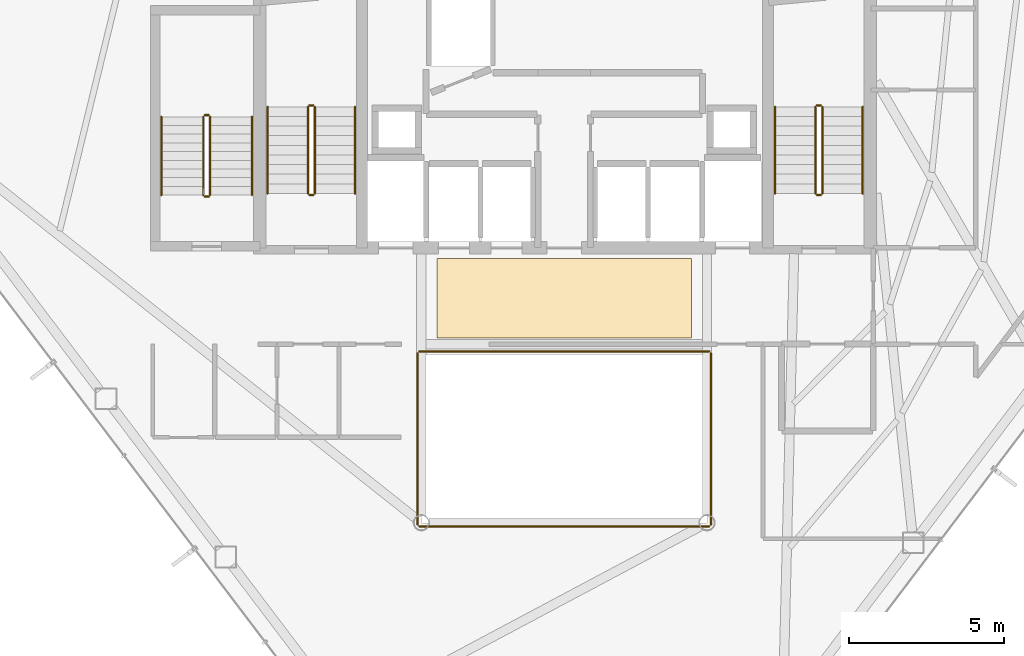
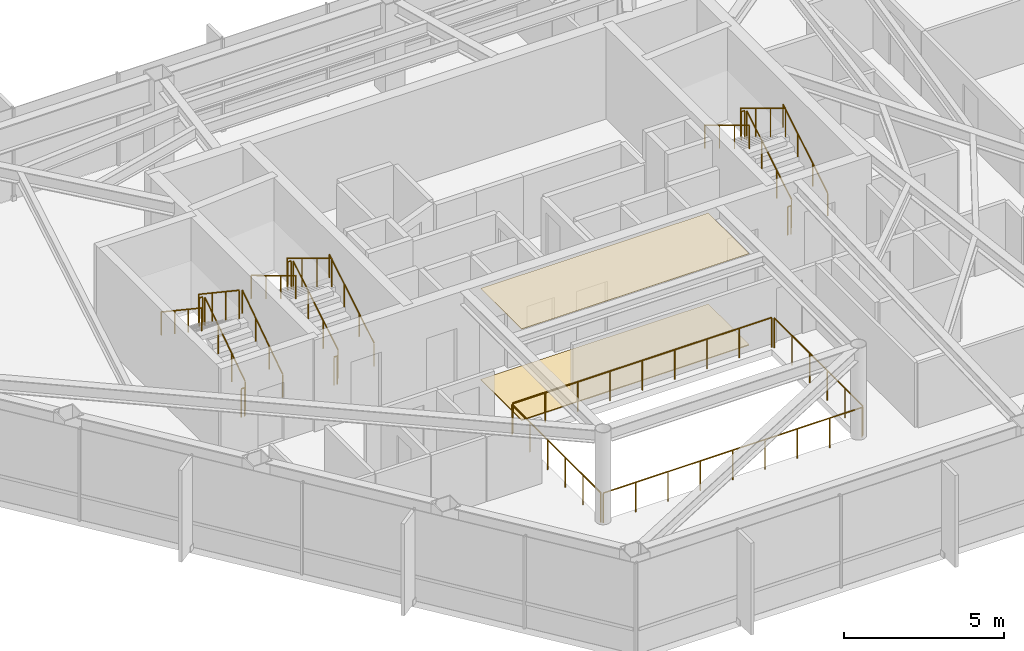
# One storey, part 27 of 27: 22 railings, 2 coverings.
"""IFC4 building model written with IfcOpenShell, lengths in metres."""

from ifc_helpers import new_model, si_unit, direction, frame, origin, origin_2d, place, context, subcontext, project, spatial, polyline, circle, outline, extrude, material, layer, layer_set, type_object, element, save


model = new_model("IFC4")

# Units and contexts
model_context = context("Model", 3, precision=1e-05, world=origin(), true_north=direction((0.0, 1.0)))
body_context = subcontext(model_context, "Body", "Model", "MODEL_VIEW")
ifc_project = project(units=[si_unit("LENGTHUNIT", "METRE"), si_unit("AREAUNIT", "SQUARE_METRE"), si_unit("VOLUMEUNIT", "CUBIC_METRE"), si_unit("PLANEANGLEUNIT", "RADIAN"), si_unit("MASSUNIT", "GRAM", prefix="KILO")], contexts=[model_context])

# Site, building, storey
site_placement = place(None, origin())
site = spatial("IfcSite", under=ifc_project, at=site_placement, CompositionType="ELEMENT")
building_placement = place(site_placement, origin())
building = spatial("IfcBuilding", under=site, at=building_placement, Name="Zarrinselat Tower", CompositionType="ELEMENT")
storey_placement = place(building_placement, frame((0.0, 0.0, 179.52001953125)))
storey = spatial("IfcBuildingStorey", under=building, at=storey_placement, Name="L44", CompositionType="ELEMENT", Elevation=179.52001953125)

# Coverings
ifc_material_1 = material(Name="Fire-Rated Gypsum Board Partition")
ifc_layer_1 = layer(ifc_material_1, 0.014892578125)
ifc_layer_set_1 = layer_set([ifc_layer_1], Name="Fire-Rated Gypsum Board Partition")
covering_type_1 = type_object("IfcCoveringType", Name="COV-CLG-AC15", PredefinedType="CEILING", material=ifc_layer_set_1)
covering_1_placement = place(storey_placement, frame((0.0, 0.0, 3.48486328125)))
element("IfcCovering", 1, at=covering_1_placement, inside=storey, type_object=covering_type_1, Name="L44 Lift Lobby Acoustic Ceiling", PredefinedType="CEILING", context=body_context, shape_type="SweptSolid", body=[
    extrude(outline(polyline([(34.300048828125, 30.35009765625), (42.5, 30.35009765625), (42.5, 32.89990234375), (34.300048828125, 32.89990234375), (34.300048828125, 30.35009765625)])), origin(), (0.0, 0.0, 1.0), 0.01513671875),
])
ifc_material_2 = material(Name="Precast concrete C40/50", Category="concrete")
ifc_layer_2 = layer(ifc_material_2, 0.034912109375)
ifc_layer_set_2 = layer_set([ifc_layer_2], Name="Precast concrete C40/50")
covering_type_2 = type_object("IfcCoveringType", Name="COV-FLR-CP35", PredefinedType="FLOORING", material=ifc_layer_set_2)
covering_2_placement = place(storey_placement, origin())
element("IfcCovering", 2, at=covering_2_placement, inside=storey, type_object=covering_type_2, Name="L44 Lift Lobby Stone Flooring", PredefinedType="FLOORING", context=body_context, shape_type="SweptSolid", body=[
    extrude(outline(polyline([(34.300048828125, 30.35009765625), (42.5, 30.35009765625), (42.5, 32.89990234375), (34.300048828125, 32.89990234375), (34.300048828125, 30.35009765625)])), origin(), (0.0, 0.0, 1.0), 0.034912109375),
])

# Railings
ifc_material_3 = material(Name="Double Low-E Laminated Solar Glass", Category="glass")
railing_type_1 = type_object("IfcRailingType", Name="RLG-ATRIUM-BAL", PredefinedType="BALUSTRADE", material=ifc_material_3)
railing_1_placement = place(storey_placement, frame((33.739990234375, 24.280029296875, 0.0)))
element("IfcRailing", 3, at=railing_1_placement, inside=storey, type_object=railing_type_1, Name="L44 Atrium Void Glass Balustrade S", PredefinedType="BALUSTRADE", context=body_context, shape_type="SweptSolid", body=[
    extrude(circle(Radius=0.02392578125, at=origin_2d()), frame((0.0, 0.0, 1.1259765625), z_axis=(1.0, 0.0, 0.0), x_axis=(0.0, 1.0, 0.0)), (0.0, 0.0, 1.0), 9.320068359375),
    extrude(circle(Radius=0.02099609375, at=origin_2d()), origin(), (0.0, 0.0, 1.0), 1.099853515625),
    extrude(circle(Radius=0.02099609375, at=origin_2d()), frame((1.1650390625, 0.0, 0.0)), (0.0, 0.0, 1.0), 1.099853515625),
    extrude(circle(Radius=0.02099609375, at=origin_2d()), frame((2.330078125, 0.0, 0.0)), (0.0, 0.0, 1.0), 1.099853515625),
    extrude(circle(Radius=0.02099609375, at=origin_2d()), frame((3.4951171875, 0.0, 0.0)), (0.0, 0.0, 1.0), 1.099853515625),
    extrude(circle(Radius=0.02099609375, at=origin_2d()), frame((4.66015625, 0.0, 0.0)), (0.0, 0.0, 1.0), 1.099853515625),
    extrude(circle(Radius=0.02099609375, at=origin_2d()), frame((5.824951171875, 0.0, 0.0)), (0.0, 0.0, 1.0), 1.099853515625),
    extrude(circle(Radius=0.02099609375, at=origin_2d()), frame((6.989990234375, 0.0, 0.0)), (0.0, 0.0, 1.0), 1.099853515625),
    extrude(circle(Radius=0.02099609375, at=origin_2d()), frame((8.155029296875, 0.0, 0.0)), (0.0, 0.0, 1.0), 1.099853515625),
    extrude(circle(Radius=0.02099609375, at=origin_2d()), frame((9.320068359375, 0.0, 0.0)), (0.0, 0.0, 1.0), 1.099853515625),
])
railing_2_placement = place(storey_placement, frame((43.1201171875, 24.340087890625, 0.0)))
element("IfcRailing", 4, at=railing_2_placement, inside=storey, type_object=railing_type_1, Name="L44 Atrium Void Glass Balustrade E", PredefinedType="BALUSTRADE", context=body_context, shape_type="SweptSolid", body=[
    extrude(circle(Radius=0.02392578125, at=origin_2d()), frame((0.0, 0.0, 1.1259765625), z_axis=(0.0, 1.0, 0.0), x_axis=(-1.0, 0.0, 0.0)), (0.0, 0.0, 1.0), 5.52001953125),
    extrude(circle(Radius=0.02099609375, at=origin_2d()), origin(), (0.0, 0.0, 1.0), 1.099853515625),
    extrude(circle(Radius=0.02099609375, at=origin_2d()), frame((0.0, 1.10400390625, 0.0)), (0.0, 0.0, 1.0), 1.099853515625),
    extrude(circle(Radius=0.02099609375, at=origin_2d()), frame((0.0, 2.2080078125, 0.0)), (0.0, 0.0, 1.0), 1.099853515625),
    extrude(circle(Radius=0.02099609375, at=origin_2d()), frame((0.0, 3.31201171875, 0.0)), (0.0, 0.0, 1.0), 1.099853515625),
    extrude(circle(Radius=0.02099609375, at=origin_2d()), frame((0.0, 4.416015625, 0.0)), (0.0, 0.0, 1.0), 1.099853515625),
    extrude(circle(Radius=0.02099609375, at=origin_2d()), frame((0.0, 5.52001953125, 0.0)), (0.0, 0.0, 1.0), 1.099853515625),
])
railing_3_placement = place(storey_placement, frame((43.06005859375, 29.919921875, 0.0)))
element("IfcRailing", 5, at=railing_3_placement, inside=storey, type_object=railing_type_1, Name="L44 Atrium Void Glass Balustrade N", PredefinedType="BALUSTRADE", context=body_context, shape_type="SweptSolid", body=[
    extrude(circle(Radius=0.02392578125, at=origin_2d()), frame((0.0, 0.0, 1.1259765625), z_axis=(-1.0, 0.0, 0.0), x_axis=(0.0, -1.0, 0.0)), (0.0, 0.0, 1.0), 9.320068359375),
    extrude(circle(Radius=0.02099609375, at=origin_2d()), origin(), (0.0, 0.0, 1.0), 1.099853515625),
    extrude(circle(Radius=0.02099609375, at=origin_2d()), frame((-1.1650390625, 0.0, 0.0)), (0.0, 0.0, 1.0), 1.099853515625),
    extrude(circle(Radius=0.02099609375, at=origin_2d()), frame((-2.330078125, 0.0, 0.0)), (0.0, 0.0, 1.0), 1.099853515625),
    extrude(circle(Radius=0.02099609375, at=origin_2d()), frame((-3.4951171875, 0.0, 0.0)), (0.0, 0.0, 1.0), 1.099853515625),
    extrude(circle(Radius=0.02099609375, at=origin_2d()), frame((-4.66015625, 0.0, 0.0)), (0.0, 0.0, 1.0), 1.099853515625),
    extrude(circle(Radius=0.02099609375, at=origin_2d()), frame((-5.824951171875, 0.0, 0.0)), (0.0, 0.0, 1.0), 1.099853515625),
    extrude(circle(Radius=0.02099609375, at=origin_2d()), frame((-6.989990234375, 0.0, 0.0)), (0.0, 0.0, 1.0), 1.099853515625),
    extrude(circle(Radius=0.02099609375, at=origin_2d()), frame((-8.155029296875, 0.0, 0.0)), (0.0, 0.0, 1.0), 1.099853515625),
    extrude(circle(Radius=0.02099609375, at=origin_2d()), frame((-9.320068359375, 0.0, 0.0)), (0.0, 0.0, 1.0), 1.099853515625),
])
railing_4_placement = place(storey_placement, frame((33.679931640625, 29.860107421875, 0.0)))
element("IfcRailing", 6, at=railing_4_placement, inside=storey, type_object=railing_type_1, Name="L44 Atrium Void Glass Balustrade W", PredefinedType="BALUSTRADE", context=body_context, shape_type="SweptSolid", body=[
    extrude(circle(Radius=0.02392578125, at=origin_2d()), frame((0.0, 0.0, 1.1259765625), z_axis=(0.0, -1.0, 0.0), x_axis=(1.0, 0.0, 0.0)), (0.0, 0.0, 1.0), 5.52001953125),
    extrude(circle(Radius=0.02099609375, at=origin_2d()), origin(), (0.0, 0.0, 1.0), 1.099853515625),
    extrude(circle(Radius=0.02099609375, at=origin_2d()), frame((0.0, -1.10400390625, 0.0)), (0.0, 0.0, 1.0), 1.099853515625),
    extrude(circle(Radius=0.02099609375, at=origin_2d()), frame((0.0, -2.2080078125, 0.0)), (0.0, 0.0, 1.0), 1.099853515625),
    extrude(circle(Radius=0.02099609375, at=origin_2d()), frame((0.0, -3.31201171875, 0.0)), (0.0, 0.0, 1.0), 1.099853515625),
    extrude(circle(Radius=0.02099609375, at=origin_2d()), frame((0.0, -4.416015625, 0.0)), (0.0, 0.0, 1.0), 1.099853515625),
    extrude(circle(Radius=0.02099609375, at=origin_2d()), frame((0.0, -5.52001953125, 0.0)), (0.0, 0.0, 1.0), 1.099853515625),
])
ifc_material_4 = material(Name="Steel S355J2", Category="steel")
railing_type_2 = type_object("IfcRailingType", Name="RLG-STAIR-GUARD", PredefinedType="GUARDRAIL", material=ifc_material_4)
railing_5_placement = place(storey_placement, frame((30.3701171875, 35.0, 0.18701171875)))
element("IfcRailing", 7, at=railing_5_placement, inside=storey, type_object=railing_type_2, Name="L44 ST-1 stair guard 1", PredefinedType="GUARDRAIL", context=body_context, shape_type="SweptSolid", body=[
    extrude(circle(Radius=0.02392578125, at=origin_2d()), frame((0.0, 0.0, 1.076171875), z_axis=(0.0, 0.856293938615, 0.516488809842), x_axis=(-1.0, 0.0, 0.0)), (0.0, 0.0, 1.0), 3.25830078125),
    extrude(circle(Radius=0.02099609375, at=origin_2d()), origin(), (0.0, 0.0, 1.0), 1.050048828125),
    extrude(circle(Radius=0.02099609375, at=origin_2d()), frame((0.0, 0.929931640625, 0.56103515625)), (0.0, 0.0, 1.0), 1.050048828125),
    extrude(circle(Radius=0.02099609375, at=origin_2d()), frame((0.0, 1.860107421875, 1.121826171875)), (0.0, 0.0, 1.0), 1.050048828125),
    extrude(circle(Radius=0.02099609375, at=origin_2d()), frame((0.0, 2.7900390625, 1.682861328125)), (0.0, 0.0, 1.0), 1.050048828125),
])
railing_6_placement = place(storey_placement, frame((30.320068359375, 37.840087890625, 1.869873046875)))
element("IfcRailing", 8, at=railing_6_placement, inside=storey, type_object=railing_type_2, Name="L44 ST-1 stair guard 2", PredefinedType="GUARDRAIL", context=body_context, shape_type="SweptSolid", body=[
    extrude(circle(Radius=0.02392578125, at=origin_2d()), frame((0.0, 0.0, 1.076171875), z_axis=(-1.0, 0.0, 0.0), x_axis=(0.0, -1.0, 0.0)), (0.0, 0.0, 1.0), 0.1201171875),
    extrude(circle(Radius=0.02099609375, at=origin_2d()), origin(), (0.0, 0.0, 1.0), 1.050048828125),
    extrude(circle(Radius=0.02099609375, at=origin_2d()), frame((-0.1201171875, 0.0, 0.0)), (0.0, 0.0, 1.0), 1.050048828125),
])
railing_7_placement = place(storey_placement, frame((30.14990234375, 37.7900390625, 2.056884765625)))
element("IfcRailing", 9, at=railing_7_placement, inside=storey, type_object=railing_type_2, Name="L44 ST-1 stair guard 3", PredefinedType="GUARDRAIL", context=body_context, shape_type="SweptSolid", body=[
    extrude(circle(Radius=0.02392578125, at=origin_2d()), frame((0.0, 0.0, 1.076171875), z_axis=(0.0, -0.856260799362, 0.516543747882), x_axis=(1.0, 0.0, 0.0)), (0.0, 0.0, 1.0), 3.25830078125),
    extrude(circle(Radius=0.02099609375, at=origin_2d()), origin(), (0.0, 0.0, 1.0), 1.050048828125),
    extrude(circle(Radius=0.02099609375, at=origin_2d()), frame((0.0, -0.929931640625, 0.56103515625)), (0.0, 0.0, 1.0), 1.050048828125),
    extrude(circle(Radius=0.02099609375, at=origin_2d()), frame((0.0, -1.860107421875, 1.1220703125)), (0.0, 0.0, 1.0), 1.050048828125),
    extrude(circle(Radius=0.02099609375, at=origin_2d()), frame((0.0, -2.7900390625, 1.68310546875)), (0.0, 0.0, 1.0), 1.050048828125),
])
railing_8_placement = place(storey_placement, frame((30.320068359375, 34.949951171875, 0.0)))
element("IfcRailing", 10, at=railing_8_placement, inside=storey, type_object=railing_type_2, Name="L44 ST-1 stair guard 4", PredefinedType="GUARDRAIL", context=body_context, shape_type="SweptSolid", body=[
    extrude(circle(Radius=0.02392578125, at=origin_2d()), frame((0.0, 0.0, 1.076171875), z_axis=(-1.0, 0.0, 0.0), x_axis=(0.0, -1.0, 0.0)), (0.0, 0.0, 1.0), 0.1201171875),
    extrude(circle(Radius=0.02099609375, at=origin_2d()), origin(), (0.0, 0.0, 1.0), 1.050048828125),
    extrude(circle(Radius=0.02099609375, at=origin_2d()), frame((-0.1201171875, 0.0, 0.0)), (0.0, 0.0, 1.0), 1.050048828125),
])
railing_9_placement = place(storey_placement, frame((46.7099609375, 35.0, 0.18701171875)))
element("IfcRailing", 11, at=railing_9_placement, inside=storey, type_object=railing_type_2, Name="L44 ST-2 stair guard 1", PredefinedType="GUARDRAIL", context=body_context, shape_type="SweptSolid", body=[
    extrude(circle(Radius=0.02392578125, at=origin_2d()), frame((0.0, 0.0, 1.076171875), z_axis=(0.0, 0.856293938615, 0.516488809842), x_axis=(-1.0, 0.0, 0.0)), (0.0, 0.0, 1.0), 3.25830078125),
    extrude(circle(Radius=0.02099609375, at=origin_2d()), origin(), (0.0, 0.0, 1.0), 1.050048828125),
    extrude(circle(Radius=0.02099609375, at=origin_2d()), frame((0.0, 0.929931640625, 0.56103515625)), (0.0, 0.0, 1.0), 1.050048828125),
    extrude(circle(Radius=0.02099609375, at=origin_2d()), frame((0.0, 1.860107421875, 1.121826171875)), (0.0, 0.0, 1.0), 1.050048828125),
    extrude(circle(Radius=0.02099609375, at=origin_2d()), frame((0.0, 2.7900390625, 1.682861328125)), (0.0, 0.0, 1.0), 1.050048828125),
])
railing_10_placement = place(storey_placement, frame((46.659912109375, 37.840087890625, 1.869873046875)))
element("IfcRailing", 12, at=railing_10_placement, inside=storey, type_object=railing_type_2, Name="L44 ST-2 stair guard 2", PredefinedType="GUARDRAIL", context=body_context, shape_type="SweptSolid", body=[
    extrude(circle(Radius=0.02392578125, at=origin_2d()), frame((0.0, 0.0, 1.076171875), z_axis=(-1.0, 0.0, 0.0), x_axis=(0.0, -1.0, 0.0)), (0.0, 0.0, 1.0), 0.119873046875),
    extrude(circle(Radius=0.02099609375, at=origin_2d()), origin(), (0.0, 0.0, 1.0), 1.050048828125),
    extrude(circle(Radius=0.02099609375, at=origin_2d()), frame((-0.119873046875, 0.0, 0.0)), (0.0, 0.0, 1.0), 1.050048828125),
])
railing_11_placement = place(storey_placement, frame((46.489990234375, 37.7900390625, 2.056884765625)))
element("IfcRailing", 13, at=railing_11_placement, inside=storey, type_object=railing_type_2, Name="L44 ST-2 stair guard 3", PredefinedType="GUARDRAIL", context=body_context, shape_type="SweptSolid", body=[
    extrude(circle(Radius=0.02392578125, at=origin_2d()), frame((0.0, 0.0, 1.076171875), z_axis=(0.0, -0.856260799362, 0.516543747882), x_axis=(1.0, 0.0, 0.0)), (0.0, 0.0, 1.0), 3.25830078125),
    extrude(circle(Radius=0.02099609375, at=origin_2d()), origin(), (0.0, 0.0, 1.0), 1.050048828125),
    extrude(circle(Radius=0.02099609375, at=origin_2d()), frame((0.0, -0.929931640625, 0.56103515625)), (0.0, 0.0, 1.0), 1.050048828125),
    extrude(circle(Radius=0.02099609375, at=origin_2d()), frame((0.0, -1.860107421875, 1.1220703125)), (0.0, 0.0, 1.0), 1.050048828125),
    extrude(circle(Radius=0.02099609375, at=origin_2d()), frame((0.0, -2.7900390625, 1.68310546875)), (0.0, 0.0, 1.0), 1.050048828125),
])
railing_12_placement = place(storey_placement, frame((46.659912109375, 34.949951171875, 0.0)))
element("IfcRailing", 14, at=railing_12_placement, inside=storey, type_object=railing_type_2, Name="L44 ST-2 stair guard 4", PredefinedType="GUARDRAIL", context=body_context, shape_type="SweptSolid", body=[
    extrude(circle(Radius=0.02392578125, at=origin_2d()), frame((0.0, 0.0, 1.076171875), z_axis=(-1.0, 0.0, 0.0), x_axis=(0.0, -1.0, 0.0)), (0.0, 0.0, 1.0), 0.119873046875),
    extrude(circle(Radius=0.02099609375, at=origin_2d()), origin(), (0.0, 0.0, 1.0), 1.050048828125),
    extrude(circle(Radius=0.02099609375, at=origin_2d()), frame((-0.119873046875, 0.0, 0.0)), (0.0, 0.0, 1.0), 1.050048828125),
])
railing_13_placement = place(storey_placement, frame((27.0, 34.949951171875, 0.18701171875)))
element("IfcRailing", 15, at=railing_13_placement, inside=storey, type_object=railing_type_2, Name="L44 ST-3 stair guard 1", PredefinedType="GUARDRAIL", context=body_context, shape_type="SweptSolid", body=[
    extrude(circle(Radius=0.02392578125, at=origin_2d()), frame((0.0, 0.0, 1.076171875), z_axis=(0.0, 0.831616215664, 0.555350762892), x_axis=(-1.0, 0.0, 0.0)), (0.0, 0.0, 1.0), 3.0302734375),
    extrude(circle(Radius=0.02099609375, at=origin_2d()), origin(), (0.0, 0.0, 1.0), 1.050048828125),
    extrude(circle(Radius=0.02099609375, at=origin_2d()), frame((0.0, 0.840087890625, 0.56103515625)), (0.0, 0.0, 1.0), 1.050048828125),
    extrude(circle(Radius=0.02099609375, at=origin_2d()), frame((0.0, 1.679931640625, 1.121826171875)), (0.0, 0.0, 1.0), 1.050048828125),
    extrude(circle(Radius=0.02099609375, at=origin_2d()), frame((0.0, 2.52001953125, 1.682861328125)), (0.0, 0.0, 1.0), 1.050048828125),
])
railing_14_placement = place(storey_placement, frame((26.949951171875, 37.52001953125, 1.869873046875)))
element("IfcRailing", 16, at=railing_14_placement, inside=storey, type_object=railing_type_2, Name="L44 ST-3 stair guard 2", PredefinedType="GUARDRAIL", context=body_context, shape_type="SweptSolid", body=[
    extrude(circle(Radius=0.02392578125, at=origin_2d()), frame((0.0, 0.0, 1.076171875), z_axis=(-1.0, 0.0, 0.0), x_axis=(0.0, -1.0, 0.0)), (0.0, 0.0, 1.0), 0.119873046875),
    extrude(circle(Radius=0.02099609375, at=origin_2d()), origin(), (0.0, 0.0, 1.0), 1.050048828125),
    extrude(circle(Radius=0.02099609375, at=origin_2d()), frame((-0.119873046875, 0.0, 0.0)), (0.0, 0.0, 1.0), 1.050048828125),
])
railing_15_placement = place(storey_placement, frame((26.780029296875, 37.469970703125, 2.056884765625)))
element("IfcRailing", 17, at=railing_15_placement, inside=storey, type_object=railing_type_2, Name="L44 ST-3 stair guard 3", PredefinedType="GUARDRAIL", context=body_context, shape_type="SweptSolid", body=[
    extrude(circle(Radius=0.02392578125, at=origin_2d()), frame((0.0, 0.0, 1.076171875), z_axis=(0.0, -0.831579006341, 0.555406478368), x_axis=(1.0, 0.0, 0.0)), (0.0, 0.0, 1.0), 3.030517578125),
    extrude(circle(Radius=0.02099609375, at=origin_2d()), origin(), (0.0, 0.0, 1.0), 1.050048828125),
    extrude(circle(Radius=0.02099609375, at=origin_2d()), frame((0.0, -0.840087890625, 0.56103515625)), (0.0, 0.0, 1.0), 1.050048828125),
    extrude(circle(Radius=0.02099609375, at=origin_2d()), frame((0.0, -1.679931640625, 1.1220703125)), (0.0, 0.0, 1.0), 1.050048828125),
    extrude(circle(Radius=0.02099609375, at=origin_2d()), frame((0.0, -2.52001953125, 1.68310546875)), (0.0, 0.0, 1.0), 1.050048828125),
])
railing_16_placement = place(storey_placement, frame((26.949951171875, 34.89990234375, 0.0)))
element("IfcRailing", 18, at=railing_16_placement, inside=storey, type_object=railing_type_2, Name="L44 ST-3 stair guard 4", PredefinedType="GUARDRAIL", context=body_context, shape_type="SweptSolid", body=[
    extrude(circle(Radius=0.02392578125, at=origin_2d()), frame((0.0, 0.0, 1.076171875), z_axis=(-1.0, 0.0, 0.0), x_axis=(0.0, -1.0, 0.0)), (0.0, 0.0, 1.0), 0.119873046875),
    extrude(circle(Radius=0.02099609375, at=origin_2d()), origin(), (0.0, 0.0, 1.0), 1.050048828125),
    extrude(circle(Radius=0.02099609375, at=origin_2d()), frame((-0.119873046875, 0.0, 0.0)), (0.0, 0.0, 1.0), 1.050048828125),
])
ifc_material_5 = material(Name="Steel S355J2", Category="steel")
railing_type_3 = type_object("IfcRailingType", Name="RLG-STAIR-HAND", PredefinedType="HANDRAIL", material=ifc_material_5)
railing_17_placement = place(storey_placement, frame((31.669921875, 35.0, 0.18701171875)))
element("IfcRailing", 19, at=railing_17_placement, inside=storey, type_object=railing_type_3, Name="L44 ST-1 stair handrail 1", PredefinedType="HANDRAIL", context=body_context, shape_type="SweptSolid", body=[
    extrude(circle(Radius=0.02392578125, at=origin_2d()), frame((0.0, 0.0, 0.8759765625), z_axis=(0.0, 0.856293938615, 0.516488809842), x_axis=(-1.0, 0.0, 0.0)), (0.0, 0.0, 1.0), 3.25830078125),
    extrude(circle(Radius=0.02099609375, at=origin_2d()), origin(), (0.0, 0.0, 1.0), 0.849853515625),
    extrude(circle(Radius=0.02099609375, at=origin_2d()), frame((0.0, 0.929931640625, 0.56103515625)), (0.0, 0.0, 1.0), 0.849853515625),
    extrude(circle(Radius=0.02099609375, at=origin_2d()), frame((0.0, 1.860107421875, 1.121826171875)), (0.0, 0.0, 1.0), 0.849853515625),
    extrude(circle(Radius=0.02099609375, at=origin_2d()), frame((0.0, 2.7900390625, 1.682861328125)), (0.0, 0.0, 1.0), 0.849853515625),
])
railing_18_placement = place(storey_placement, frame((28.85009765625, 37.7900390625, 2.056884765625)))
element("IfcRailing", 20, at=railing_18_placement, inside=storey, type_object=railing_type_3, Name="L44 ST-1 stair handrail 2", PredefinedType="HANDRAIL", context=body_context, shape_type="SweptSolid", body=[
    extrude(circle(Radius=0.02392578125, at=origin_2d()), frame((0.0, 0.0, 0.8759765625), z_axis=(0.0, -0.856260799362, 0.516543747882), x_axis=(1.0, 0.0, 0.0)), (0.0, 0.0, 1.0), 3.25830078125),
    extrude(circle(Radius=0.02099609375, at=origin_2d()), origin(), (0.0, 0.0, 1.0), 0.849853515625),
    extrude(circle(Radius=0.02099609375, at=origin_2d()), frame((0.0, -0.929931640625, 0.56103515625)), (0.0, 0.0, 1.0), 0.849853515625),
    extrude(circle(Radius=0.02099609375, at=origin_2d()), frame((0.0, -1.860107421875, 1.1220703125)), (0.0, 0.0, 1.0), 0.849853515625),
    extrude(circle(Radius=0.02099609375, at=origin_2d()), frame((0.0, -2.7900390625, 1.68310546875)), (0.0, 0.0, 1.0), 0.849853515625),
])
railing_19_placement = place(storey_placement, frame((48.010009765625, 35.0, 0.18701171875)))
element("IfcRailing", 21, at=railing_19_placement, inside=storey, type_object=railing_type_3, Name="L44 ST-2 stair handrail 1", PredefinedType="HANDRAIL", context=body_context, shape_type="SweptSolid", body=[
    extrude(circle(Radius=0.02392578125, at=origin_2d()), frame((0.0, 0.0, 0.8759765625), z_axis=(0.0, 0.856293938615, 0.516488809842), x_axis=(-1.0, 0.0, 0.0)), (0.0, 0.0, 1.0), 3.25830078125),
    extrude(circle(Radius=0.02099609375, at=origin_2d()), origin(), (0.0, 0.0, 1.0), 0.849853515625),
    extrude(circle(Radius=0.02099609375, at=origin_2d()), frame((0.0, 0.929931640625, 0.56103515625)), (0.0, 0.0, 1.0), 0.849853515625),
    extrude(circle(Radius=0.02099609375, at=origin_2d()), frame((0.0, 1.860107421875, 1.121826171875)), (0.0, 0.0, 1.0), 0.849853515625),
    extrude(circle(Radius=0.02099609375, at=origin_2d()), frame((0.0, 2.7900390625, 1.682861328125)), (0.0, 0.0, 1.0), 0.849853515625),
])
railing_20_placement = place(storey_placement, frame((45.18994140625, 37.7900390625, 2.056884765625)))
element("IfcRailing", 22, at=railing_20_placement, inside=storey, type_object=railing_type_3, Name="L44 ST-2 stair handrail 2", PredefinedType="HANDRAIL", context=body_context, shape_type="SweptSolid", body=[
    extrude(circle(Radius=0.02392578125, at=origin_2d()), frame((0.0, 0.0, 0.8759765625), z_axis=(0.0, -0.856260799362, 0.516543747882), x_axis=(1.0, 0.0, 0.0)), (0.0, 0.0, 1.0), 3.25830078125),
    extrude(circle(Radius=0.02099609375, at=origin_2d()), origin(), (0.0, 0.0, 1.0), 0.849853515625),
    extrude(circle(Radius=0.02099609375, at=origin_2d()), frame((0.0, -0.929931640625, 0.56103515625)), (0.0, 0.0, 1.0), 0.849853515625),
    extrude(circle(Radius=0.02099609375, at=origin_2d()), frame((0.0, -1.860107421875, 1.1220703125)), (0.0, 0.0, 1.0), 0.849853515625),
    extrude(circle(Radius=0.02099609375, at=origin_2d()), frame((0.0, -2.7900390625, 1.68310546875)), (0.0, 0.0, 1.0), 0.849853515625),
])
railing_21_placement = place(storey_placement, frame((28.35009765625, 34.949951171875, 0.18701171875)))
element("IfcRailing", 23, at=railing_21_placement, inside=storey, type_object=railing_type_3, Name="L44 ST-3 stair handrail 1", PredefinedType="HANDRAIL", context=body_context, shape_type="SweptSolid", body=[
    extrude(circle(Radius=0.02392578125, at=origin_2d()), frame((0.0, 0.0, 0.8759765625), z_axis=(0.0, 0.831616215664, 0.555350762892), x_axis=(-1.0, 0.0, 0.0)), (0.0, 0.0, 1.0), 3.0302734375),
    extrude(circle(Radius=0.02099609375, at=origin_2d()), origin(), (0.0, 0.0, 1.0), 0.849853515625),
    extrude(circle(Radius=0.02099609375, at=origin_2d()), frame((0.0, 0.840087890625, 0.56103515625)), (0.0, 0.0, 1.0), 0.849853515625),
    extrude(circle(Radius=0.02099609375, at=origin_2d()), frame((0.0, 1.679931640625, 1.121826171875)), (0.0, 0.0, 1.0), 0.849853515625),
    extrude(circle(Radius=0.02099609375, at=origin_2d()), frame((0.0, 2.52001953125, 1.682861328125)), (0.0, 0.0, 1.0), 0.849853515625),
])
railing_22_placement = place(storey_placement, frame((25.429931640625, 37.469970703125, 2.056884765625)))
element("IfcRailing", 24, at=railing_22_placement, inside=storey, type_object=railing_type_3, Name="L44 ST-3 stair handrail 2", PredefinedType="HANDRAIL", context=body_context, shape_type="SweptSolid", body=[
    extrude(circle(Radius=0.02392578125, at=origin_2d()), frame((0.0, 0.0, 0.8759765625), z_axis=(0.0, -0.831579006341, 0.555406478368), x_axis=(1.0, 0.0, 0.0)), (0.0, 0.0, 1.0), 3.030517578125),
    extrude(circle(Radius=0.02099609375, at=origin_2d()), origin(), (0.0, 0.0, 1.0), 0.849853515625),
    extrude(circle(Radius=0.02099609375, at=origin_2d()), frame((0.0, -0.840087890625, 0.56103515625)), (0.0, 0.0, 1.0), 0.849853515625),
    extrude(circle(Radius=0.02099609375, at=origin_2d()), frame((0.0, -1.679931640625, 1.1220703125)), (0.0, 0.0, 1.0), 0.849853515625),
    extrude(circle(Radius=0.02099609375, at=origin_2d()), frame((0.0, -2.52001953125, 1.68310546875)), (0.0, 0.0, 1.0), 0.849853515625),
])

save(model, "model.ifc")
